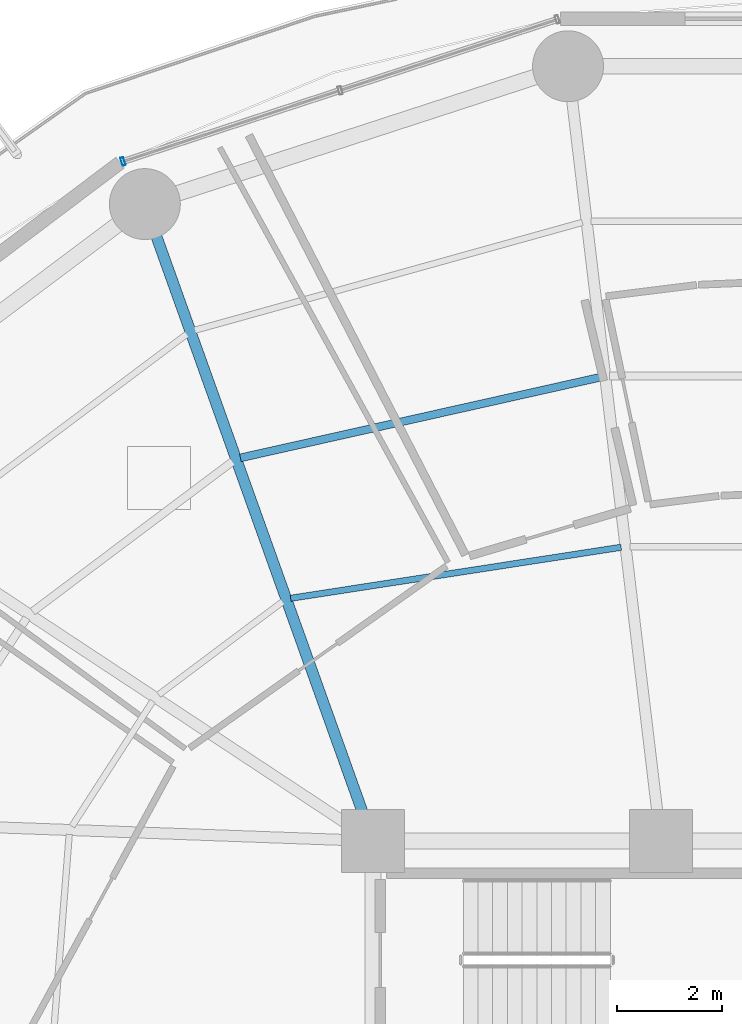
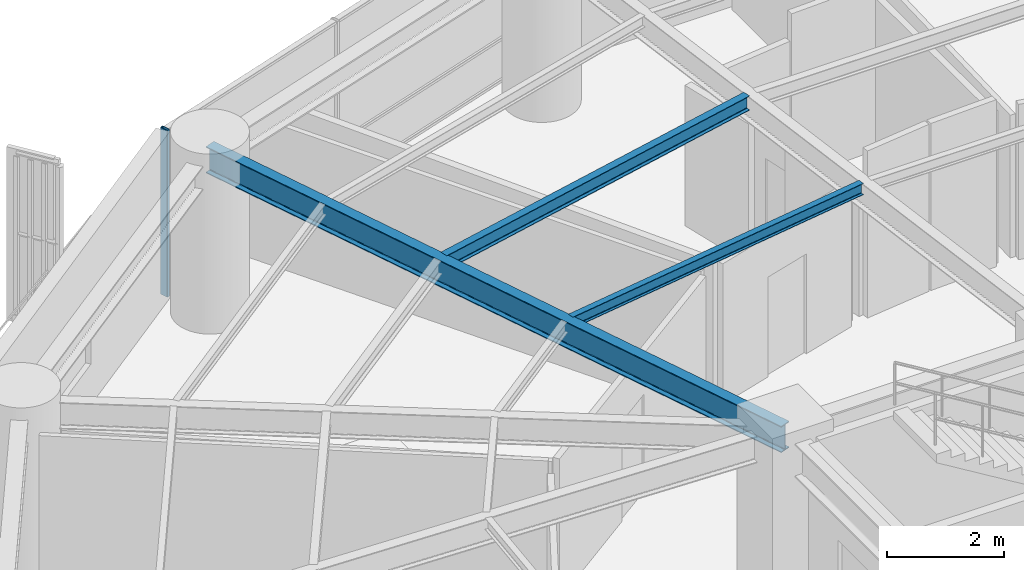
# One storey, part 20 of 35: 3 beams, 1 member, 1 element without a shape of its own.
"""IFC4 building model written with IfcOpenShell, lengths in metres."""

from ifc_helpers import new_model, si_unit, direction, frame, origin, origin_2d, place, context, subcontext, project, spatial, hollow_rectangle, i_section, extrude, material, layer, layer_set, material_profile, profile_set, type_object, element, aggregate, save


model = new_model("IFC4")

# Units and contexts
model_context = context("Model", 3, precision=1e-05, world=origin(), true_north=direction((0.0, 1.0)))
body_context = subcontext(model_context, "Body", "Model", "MODEL_VIEW")
ifc_project = project(units=[si_unit("LENGTHUNIT", "METRE"), si_unit("AREAUNIT", "SQUARE_METRE"), si_unit("VOLUMEUNIT", "CUBIC_METRE"), si_unit("PLANEANGLEUNIT", "RADIAN"), si_unit("MASSUNIT", "GRAM", prefix="KILO")], contexts=[model_context])

# Site, building, storey
site_placement = place(None, origin())
site = spatial("IfcSite", under=ifc_project, at=site_placement, CompositionType="ELEMENT")
building_placement = place(site_placement, origin())
building = spatial("IfcBuilding", under=site, at=building_placement, Name="Kelanora Arch Commons", CompositionType="ELEMENT")
storey_placement = place(building_placement, frame((0.0, 0.0, 121.35009765625)))
storey = spatial("IfcBuildingStorey", under=building, at=storey_placement, Name="L31", CompositionType="ELEMENT", Elevation=121.35009765625)

# Beams
ifc_material_1 = material(Name="Steel S355", Category="steel")
ifc_material_profile_1 = material_profile(ifc_material_1, i_section(OverallWidth=0.14990234375, OverallDepth=0.300048828125, WebThickness=0.007080078125, FlangeThickness=0.0107421875, FilletRadius=0.014892578125, at=origin_2d()), Name="IPE300")
ifc_profile_set_1 = profile_set([ifc_material_profile_1], Name="Steel S355")
beam_type_1 = type_object("IfcBeamType", Name="BM-JST-01", PredefinedType="JOIST", material=ifc_profile_set_1)
beam_1_placement = place(storey_placement, frame((70.337646484375, 73.828125, 3.33984375), z_axis=(-0.975817048791, -0.218588854449, 0.0), x_axis=(0.218588854449, -0.975817048791, 0.0)))
element("IfcBeam", 1, at=beam_1_placement, inside=storey, type_object=beam_type_1, Name="Secondary Chord Joist BJB-10 L31", PredefinedType="JOIST", context=body_context, shape_type="SweptSolid", body=[
    extrude(i_section(OverallWidth=0.14990234375, OverallDepth=0.300048828125, WebThickness=0.007080078125, FlangeThickness=0.0107421875, FilletRadius=0.014892578125, at=origin_2d()), origin(), (0.0, 0.0, 1.0), 7.028564453125),
])
ifc_material_profile_2 = material_profile(ifc_material_1, i_section(OverallWidth=0.1201171875, OverallDepth=0.239990234375, WebThickness=0.006103515625, FlangeThickness=0.009765625, FilletRadius=0.014892578125, at=origin_2d()), Name="IPE240")
ifc_profile_set_2 = profile_set([ifc_material_profile_2], Name="Steel S355")
beam_type_2 = type_object("IfcBeamType", Name="BM-JST-02", PredefinedType="JOIST", material=ifc_profile_set_2)
beam_2_placement = place(storey_placement, frame((70.72509765625, 70.590087890625, 3.369873046875), z_axis=(-0.988295745497, -0.152550055496, 0.0), x_axis=(0.152550055496, -0.988295745497, 0.0)))
element("IfcBeam", 2, at=beam_2_placement, inside=storey, type_object=beam_type_2, Name="Secondary Chord Joist BJA-10 L31", PredefinedType="JOIST", context=body_context, shape_type="SweptSolid", body=[
    extrude(i_section(OverallWidth=0.1201171875, OverallDepth=0.239990234375, WebThickness=0.006103515625, FlangeThickness=0.009765625, FilletRadius=0.014892578125, at=origin_2d()), origin(), (0.0, 0.0, 1.0), 6.36474609375),
])
ifc_material_profile_3 = material_profile(ifc_material_1, i_section(OverallWidth=0.2099609375, OverallDepth=0.550048828125, WebThickness=0.010986328125, FlangeThickness=0.01708984375, FilletRadius=0.02392578125, at=origin_2d()), Name="IPE550")
ifc_profile_set_3 = profile_set([ifc_material_profile_3], Name="Steel S355")
beam_type_3 = type_object("IfcBeamType", Name="BM-RAD-Z2", PredefinedType="BEAM", material=ifc_profile_set_3)
beam_3_placement = place(storey_placement, frame((66.0, 65.0, 3.21484375), z_axis=(-0.337084640008, 0.941474346687, 0.0), x_axis=(-0.941474346687, -0.337084640008, 0.0)))
element("IfcBeam", 3, at=beam_3_placement, inside=storey, type_object=beam_type_3, Name="Radial Floor Girder BR-12 L31", PredefinedType="BEAM", context=body_context, shape_type="SweptSolid", body=[
    extrude(i_section(OverallWidth=0.2099609375, OverallDepth=0.550048828125, WebThickness=0.010986328125, FlangeThickness=0.01708984375, FilletRadius=0.02392578125, at=origin_2d()), origin(), (0.0, 0.0, 1.0), 12.875244140625),
])

# Curtain wall, member
ifc_material_2 = material(Name="Terracotta ceramic-fritted low-E glass and aluminium", Category="masonry")
ifc_layer = layer(ifc_material_2, 0.159912109375)
ifc_layer_set = layer_set([ifc_layer], Name="Terracotta ceramic-fritted low-E glass and aluminium")
curtain_wall_type = type_object("IfcCurtainWallType", Name="CW-SYS-01", PredefinedType="NOTDEFINED", material=ifc_layer_set)
curtain_wall_placement = place(storey_placement, origin())
curtain_wall = element("IfcCurtainWall", 4, at=curtain_wall_placement, inside=storey, type_object=curtain_wall_type, Name="Unitised Curtain Wall L31-B05", PredefinedType="NOTDEFINED")
ifc_material_3 = material(Name="Powder-coated aluminium terracotta", Category="masonry")
ifc_material_profile_4 = material_profile(ifc_material_3, hollow_rectangle(XDim=0.159912109375, YDim=0.06005859375, WallThickness=0.0048828125, InnerFilletRadius=0.0048828125, OuterFilletRadius=0.010009765625, at=origin_2d()), Name="CWM160x60")
ifc_profile_set_4 = profile_set([ifc_material_profile_4], Name="Powder-coated aluminium terracotta")
member_type = type_object("IfcMemberType", Name="CWM-STD", PredefinedType="MULLION", material=ifc_profile_set_4)
member_placement = place(storey_placement, frame((61.242919921875, 77.9326171875, 0.0), z_axis=(0.0, 0.0, 1.0), x_axis=(0.31080470294, -0.950473795867, 0.0)))
member = element("IfcMember", 5, at=member_placement, type_object=member_type, Name="CW-01 mullion 3", PredefinedType="MULLION", context=body_context, shape_type="SweptSolid", body=[
    extrude(hollow_rectangle(XDim=0.159912109375, YDim=0.06005859375, WallThickness=0.0048828125, InnerFilletRadius=0.0048828125, OuterFilletRadius=0.010009765625, at=origin_2d()), origin(), (0.0, 0.0, 1.0), 3.474853515625),
])
aggregate(curtain_wall, [member])

save(model, "model.ifc")
